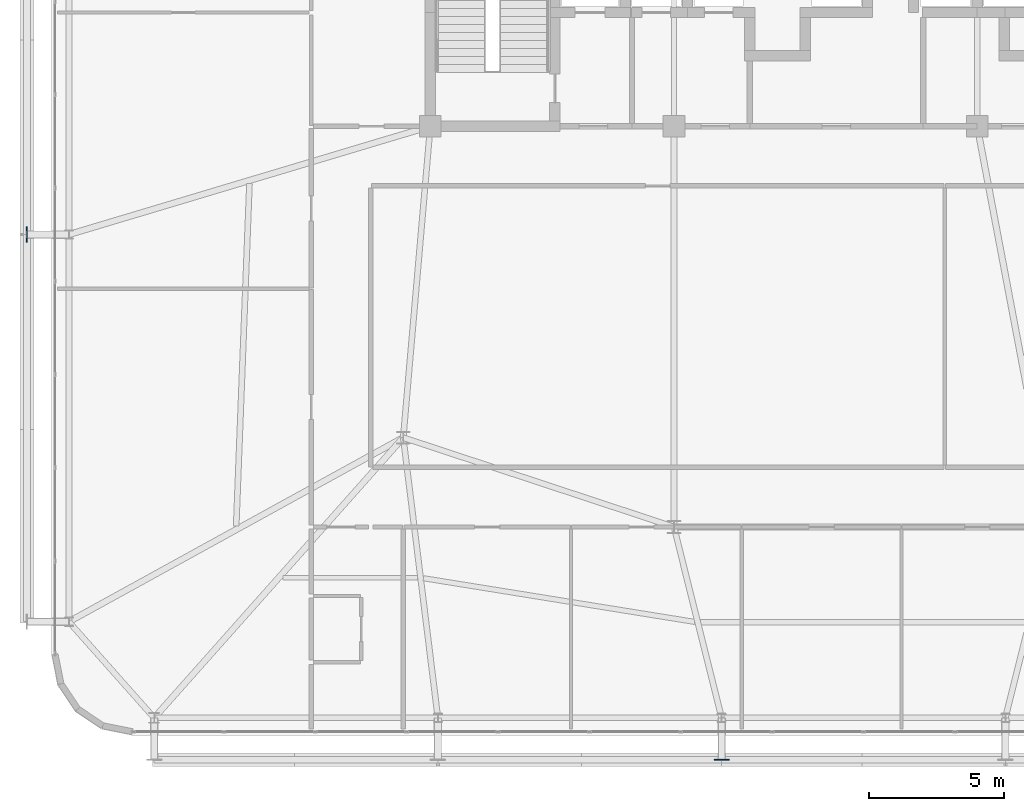
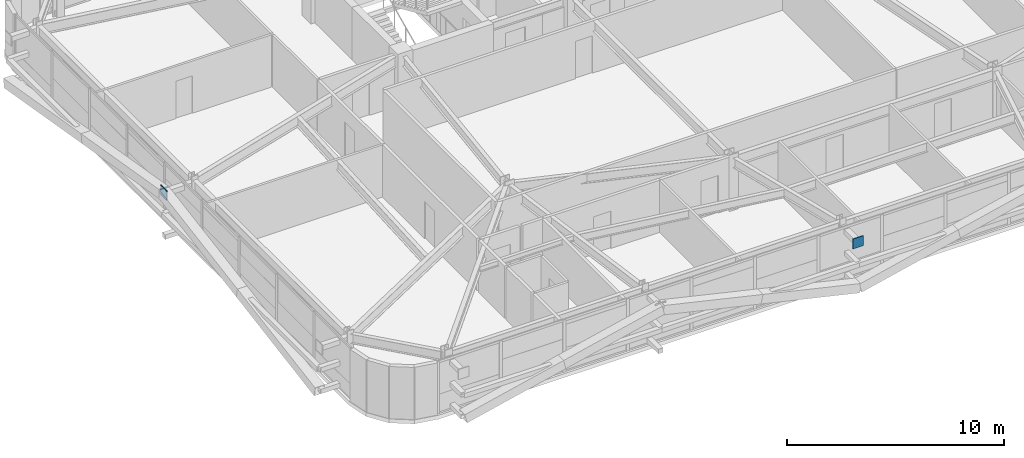
# One storey, part 45 of 58: 2 plates.
"""IFC4 building model written with IfcOpenShell, lengths in metres."""

from ifc_helpers import new_model, si_unit, direction, frame, origin, origin_2d, place, context, subcontext, project, spatial, rectangle, extrude, source, transform, mapped, material, layer, layer_set, type_object, element, save


model = new_model("IFC4")

# Units and contexts
model_context = context("Model", 3, precision=1e-05, world=origin(), true_north=direction((0.0, 1.0)))
body_context = subcontext(model_context, "Body", "Model", "MODEL_VIEW")
ifc_project = project(units=[si_unit("LENGTHUNIT", "METRE"), si_unit("AREAUNIT", "SQUARE_METRE"), si_unit("VOLUMEUNIT", "CUBIC_METRE"), si_unit("PLANEANGLEUNIT", "RADIAN"), si_unit("MASSUNIT", "GRAM", prefix="KILO")], contexts=[model_context])

# Site, building, storey
site_placement = place(None, origin())
site = spatial("IfcSite", under=ifc_project, at=site_placement, CompositionType="ELEMENT")
building_placement = place(site_placement, origin())
building = spatial("IfcBuilding", under=site, at=building_placement, Name="Taldren Reach Tower", CompositionType="ELEMENT")
storey_placement = place(building_placement, frame((0.0, 0.0, 54.60009765625)))
storey = spatial("IfcBuildingStorey", under=building, at=storey_placement, Name="L16", CompositionType="ELEMENT", Elevation=54.60009765625)

# Plates
ifc_material = material(Name="Steel Gr 450 (C450L0)", Category="steel")
ifc_layer = layer(ifc_material, 0.0400390625)
ifc_layer_set = layer_set([ifc_layer], Name="Steel Gr 450 (C450L0)")
plate_type = type_object("IfcPlateType", Name="PL-GUSSET-40", PredefinedType="SHEET", material=ifc_layer_set)
shared_shape = source(origin(), body_context, "Body", "SweptSolid", [
    extrude(rectangle(XDim=0.56005859375, YDim=0.0400390625, at=origin_2d()), origin(), (0.0, 0.0, 1.0), 0.56005859375),
])
for number, where, z_axis, x_axis, name in (
    (1, (29.760009765625, 0.60009765625, 2.369873046875), (0.0, 0.0, 1.0), (1.0, 0.0, 0.0), "Exoskeleton star-node gusset plate B1-S3 L16"),
    (2, (4.10009765625, 20.0, 2.369873046875), (0.0, 0.0, 1.0), (0.0, 1.0, 0.0), "Exoskeleton star-node gusset plate B1-W2 L16"),
):
    element("IfcPlate", number, at=place(storey_placement, frame(where, z_axis=z_axis, x_axis=x_axis)), inside=storey, type_object=plate_type, Name=name, PredefinedType="SHEET", context=body_context, shape_type="MappedRepresentation", body=[
        mapped(shared_shape, transform((0.0, 0.0, 0.0), scale=1.0)),
    ])

save(model, "model.ifc")
